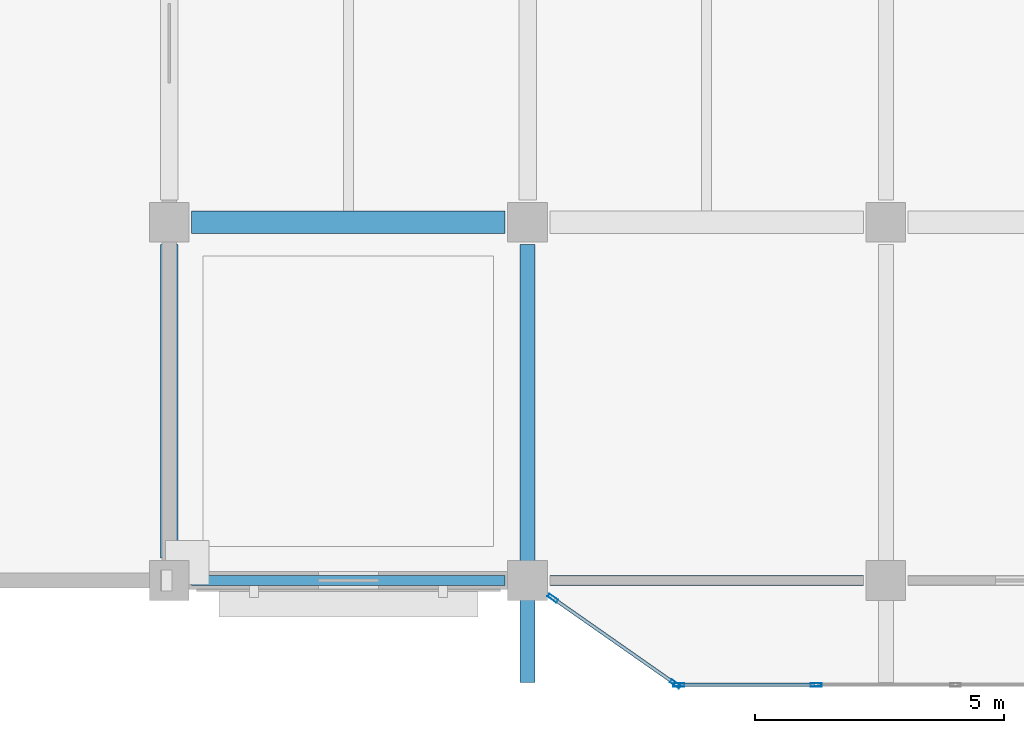
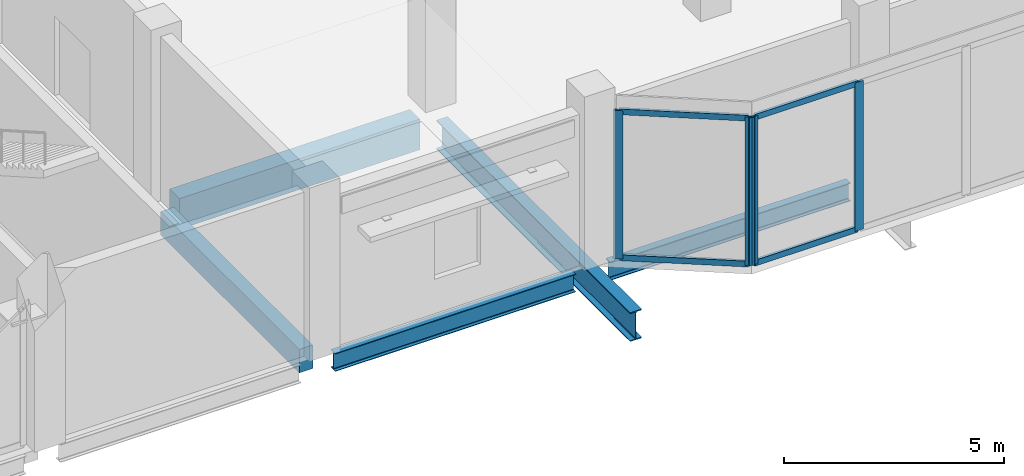
# One storey, part 41 of 99: 8 members, 5 beams, 2 elements without a shape of their own.
"""IFC4 building model written with IfcOpenShell, lengths in metres."""

from ifc_helpers import new_model, si_unit, direction, frame, origin, origin_2d, place, context, subcontext, project, spatial, rectangle, hollow_rectangle, i_section, extrude, material, material_profile, profile_set, type_object, element, aggregate, save


model = new_model("IFC4")

# Units and contexts
model_context = context("Model", 3, precision=1e-05, world=origin(), true_north=direction((0.0, 1.0)))
body_context = subcontext(model_context, "Body", "Model", "MODEL_VIEW")
ifc_project = project(units=[si_unit("LENGTHUNIT", "METRE"), si_unit("AREAUNIT", "SQUARE_METRE"), si_unit("VOLUMEUNIT", "CUBIC_METRE"), si_unit("PLANEANGLEUNIT", "RADIAN"), si_unit("MASSUNIT", "GRAM", prefix="KILO")], contexts=[model_context])

# Site, building, storey
site_placement = place(None, origin())
site = spatial("IfcSite", under=ifc_project, at=site_placement, CompositionType="ELEMENT")
building_placement = place(site_placement, origin())
building = spatial("IfcBuilding", under=site, at=building_placement, Name="Vesperath Aquatics Centre", CompositionType="ELEMENT")
storey_placement = place(building_placement, frame((0.0, 0.0, 5.39990234375)))
storey = spatial("IfcBuildingStorey", under=building, at=storey_placement, Name="L01", CompositionType="ELEMENT", Elevation=5.39990234375)

# Beams
ifc_material_1 = material(Name="Concrete C35", Category="concrete")
ifc_material_profile_1 = material_profile(ifc_material_1, rectangle(XDim=0.449951171875, YDim=0.85009765625, at=origin_2d()), Name="RC 450x850")
ifc_profile_set_1 = profile_set([ifc_material_profile_1], Name="Concrete C35")
beam_type_1 = type_object("IfcBeamType", Name="BM-G03", PredefinedType="BEAM", material=ifc_profile_set_1)
beam_1_placement = place(storey_placement, frame((130.050048828125, 7.199951171875, -0.684814453125), z_axis=(1.0, 0.0, 0.0), x_axis=(0.0, 1.0, 0.0)))
element("IfcBeam", 1, at=beam_1_placement, inside=storey, type_object=beam_type_1, Name="Floor Girder B03 L01 B 19-20", PredefinedType="BEAM", context=body_context, shape_type="SweptSolid", body=[
    extrude(rectangle(XDim=0.449951171875, YDim=0.85009765625, at=origin_2d()), origin(), (0.0, 0.0, 1.0), 6.300048828125),
])
ifc_material_profile_2 = material_profile(ifc_material_1, rectangle(XDim=0.35009765625, YDim=0.64990234375, at=origin_2d()), Name="RC 350x650")
ifc_profile_set_2 = profile_set([ifc_material_profile_2], Name="Concrete C35")
beam_type_2 = type_object("IfcBeamType", Name="BM-G05", PredefinedType="BEAM", material=ifc_profile_set_2)
beam_2_placement = place(storey_placement, frame((129.60009765625, 0.449951171875, -0.5849609375), z_axis=(0.0, 1.0, 0.0), x_axis=(-1.0, 0.0, 0.0)))
element("IfcBeam", 2, at=beam_2_placement, inside=storey, type_object=beam_type_2, Name="Floor Girder B05 L01 19 A-B", PredefinedType="BEAM", context=body_context, shape_type="SweptSolid", body=[
    extrude(rectangle(XDim=0.35009765625, YDim=0.64990234375, at=origin_2d()), origin(), (0.0, 0.0, 1.0), 6.300048828125),
])
ifc_material_2 = material(Name="Steel Q355D", Category="steel")
ifc_material_profile_3 = material_profile(ifc_material_2, i_section(OverallWidth=0.300048828125, OverallDepth=0.800048828125, WebThickness=0.013916015625, FlangeThickness=0.02587890625, FilletRadius=0.028076171875, at=origin_2d()), Name="HN 800x300x14x26")
ifc_profile_set_3 = profile_set([ifc_material_profile_3], Name="Steel Q355D")
beam_type_3 = type_object("IfcBeamType", Name="BM-G07", PredefinedType="BEAM", material=ifc_profile_set_3)
beam_3_placement = place(storey_placement, frame((136.800048828125, -2.050048828125, -0.659912109375), z_axis=(0.0, 1.0, 0.0), x_axis=(-1.0, 0.0, 0.0)))
element("IfcBeam", 3, at=beam_3_placement, inside=storey, type_object=beam_type_3, Name="Floor Girder B07 L01 20 A-B", PredefinedType="BEAM", context=body_context, shape_type="SweptSolid", body=[
    extrude(i_section(OverallWidth=0.300048828125, OverallDepth=0.800048828125, WebThickness=0.013916015625, FlangeThickness=0.02587890625, FilletRadius=0.028076171875, at=origin_2d()), origin(), (0.0, 0.0, 1.0), 8.800048828125),
])
ifc_material_profile_4 = material_profile(ifc_material_2, i_section(OverallWidth=0.199951171875, OverallDepth=0.5, WebThickness=0.010009765625, FlangeThickness=0.01611328125, FilletRadius=0.02001953125, at=origin_2d()), Name="HN 500x200x10x16")
ifc_profile_set_4 = profile_set([ifc_material_profile_4], Name="Steel Q355D")
beam_type_4 = type_object("IfcBeamType", Name="BM-SP01", PredefinedType="SPANDREL", material=ifc_profile_set_4)
for number, where, z_axis, x_axis, name in (
    (4, (130.050048828125, 0.0, -0.510009765625), (1.0, 0.0, 0.0), (0.0, 1.0, 0.0), "Floor Girder SP01 L01 A 19-20"),
    (5, (137.25, 0.0, -0.510009765625), (1.0, 0.0, 0.0), (0.0, 1.0, 0.0), "Floor Girder SP01 L01 A 20-21"),
):
    element("IfcBeam", number, at=place(storey_placement, frame(where, z_axis=z_axis, x_axis=x_axis)), inside=storey, type_object=beam_type_4, Name=name, PredefinedType="SPANDREL", context=body_context, shape_type="SweptSolid", body=[
        extrude(i_section(OverallWidth=0.199951171875, OverallDepth=0.5, WebThickness=0.010009765625, FlangeThickness=0.01611328125, FilletRadius=0.02001953125, at=origin_2d()), origin(), (0.0, 0.0, 1.0), 6.300048828125),
    ])

# Curtain wall, members
ifc_material_3 = material(Name="Thermally broken anodised bronze aluminium curtain wall", Category="aluminium")
curtain_wall_type = type_object("IfcCurtainWallType", Name="CW-02", PredefinedType="NOTDEFINED", material=ifc_material_3)
curtain_wall_1_placement = place(storey_placement, origin())
curtain_wall_1 = element("IfcCurtainWall", 6, at=curtain_wall_1_placement, inside=storey, type_object=curtain_wall_type, Name="South Boulevard Bow Oriel Curtain Wall L01-W", PredefinedType="NOTDEFINED")
ifc_material_4 = material(Name="Thermally broken anodised aluminium", Category="aluminium")
ifc_material_profile_5 = material_profile(ifc_material_4, hollow_rectangle(XDim=0.070068359375, YDim=0.219970703125, WallThickness=0.0048828125, at=origin_2d()), Name="CWM 70x220x5")
ifc_profile_set_5 = profile_set([ifc_material_profile_5], Name="Thermally broken anodised aluminium")
member_type_1 = type_object("IfcMemberType", Name="MB-CWM2", PredefinedType="MULLION", material=ifc_profile_set_5)
member_1_placement = place(storey_placement, frame((137.30859375, -0.35595703125, 0.0), z_axis=(0.0, 0.0, 1.0), x_axis=(0.57346234437, 0.819231920515, 0.0)))
member_1 = element("IfcMember", 7, at=member_1_placement, type_object=member_type_1, Name="CW02 mullion 1", PredefinedType="MULLION", context=body_context, shape_type="SweptSolid", body=[
    extrude(hollow_rectangle(XDim=0.070068359375, YDim=0.219970703125, WallThickness=0.0048828125, at=origin_2d()), origin(), (0.0, 0.0, 1.0), 4.110107421875),
])
member_2_placement = place(storey_placement, frame((139.771240234375, -2.079833984375, 0.0), z_axis=(0.0, 0.0, 1.0), x_axis=(0.57346234437, 0.819231920515, 0.0)))
member_2 = element("IfcMember", 8, at=member_2_placement, type_object=member_type_1, Name="CW02 mullion 2", PredefinedType="MULLION", context=body_context, shape_type="SweptSolid", body=[
    extrude(hollow_rectangle(XDim=0.070068359375, YDim=0.219970703125, WallThickness=0.0048828125, at=origin_2d()), origin(), (0.0, 0.0, 1.0), 4.110107421875),
])

curtain_wall_2_placement = place(storey_placement, origin())
curtain_wall_2 = element("IfcCurtainWall", 9, at=curtain_wall_2_placement, inside=storey, type_object=curtain_wall_type, Name="South Boulevard Bow Oriel Curtain Wall L01-C", PredefinedType="NOTDEFINED")
member_3_placement = place(storey_placement, frame((139.8349609375, -2.10009765625, 0.0), z_axis=(0.0, 0.0, 1.0), x_axis=(0.0, 1.0, 0.0)))
member_3 = element("IfcMember", 10, at=member_3_placement, type_object=member_type_1, Name="CW02 mullion 1", PredefinedType="MULLION", context=body_context, shape_type="SweptSolid", body=[
    extrude(hollow_rectangle(XDim=0.070068359375, YDim=0.219970703125, WallThickness=0.0048828125, at=origin_2d()), origin(), (0.0, 0.0, 1.0), 4.110107421875),
])
member_4_placement = place(storey_placement, frame((142.60009765625, -2.10009765625, 0.0), z_axis=(0.0, 0.0, 1.0), x_axis=(0.0, 1.0, 0.0)))
member_4 = element("IfcMember", 11, at=member_4_placement, type_object=member_type_1, Name="CW02 mullion 2", PredefinedType="MULLION", context=body_context, shape_type="SweptSolid", body=[
    extrude(hollow_rectangle(XDim=0.070068359375, YDim=0.219970703125, WallThickness=0.0048828125, at=origin_2d()), origin(), (0.0, 0.0, 1.0), 4.110107421875),
])

# Member
ifc_material_profile_6 = material_profile(ifc_material_4, hollow_rectangle(XDim=0.070068359375, YDim=0.159912109375, WallThickness=0.0048828125, at=origin_2d()), Name="CWT 70x160x5")
ifc_profile_set_6 = profile_set([ifc_material_profile_6], Name="Thermally broken anodised aluminium")
member_type_2 = type_object("IfcMemberType", Name="MB-CWT2", PredefinedType="USERDEFINED", material=ifc_profile_set_6)
member_5_placement = place(storey_placement, frame((137.33740234375, -0.376220703125, 0.03515625), z_axis=(0.819247546743, -0.573440020538, 0.0), x_axis=(0.573440020538, 0.819247546743, 0.0)))
member_5 = element("IfcMember", 12, at=member_5_placement, type_object=member_type_2, Name="CW02 transom 1.1", ObjectType="TRANSOM", PredefinedType="USERDEFINED", context=body_context, shape_type="SweptSolid", body=[
    extrude(hollow_rectangle(XDim=0.070068359375, YDim=0.159912109375, WallThickness=0.0048828125, at=origin_2d()), origin(), (0.0, 0.0, 1.0), 2.93603515625),
])

member_6_placement = place(storey_placement, frame((137.33740234375, -0.376220703125, 4.0751953125), z_axis=(0.819247546743, -0.573440020538, 0.0), x_axis=(0.573440020538, 0.819247546743, 0.0)))
member_6 = element("IfcMember", 13, at=member_6_placement, type_object=member_type_2, Name="CW02 transom 1.2", ObjectType="TRANSOM", PredefinedType="USERDEFINED", context=body_context, shape_type="SweptSolid", body=[
    extrude(hollow_rectangle(XDim=0.070068359375, YDim=0.159912109375, WallThickness=0.0048828125, at=origin_2d()), origin(), (0.0, 0.0, 1.0), 2.93603515625),
])

aggregate(curtain_wall_1, [member_1, member_2, member_5, member_6])

member_7_placement = place(storey_placement, frame((139.8701171875, -2.10009765625, 0.03515625), z_axis=(1.0, 0.0, 0.0), x_axis=(0.0, 1.0, 0.0)))
member_7 = element("IfcMember", 14, at=member_7_placement, type_object=member_type_2, Name="CW02 transom 1.1", ObjectType="TRANSOM", PredefinedType="USERDEFINED", context=body_context, shape_type="SweptSolid", body=[
    extrude(hollow_rectangle(XDim=0.070068359375, YDim=0.159912109375, WallThickness=0.0048828125, at=origin_2d()), origin(), (0.0, 0.0, 1.0), 2.69482421875),
])

member_8_placement = place(storey_placement, frame((139.8701171875, -2.10009765625, 4.0751953125), z_axis=(1.0, 0.0, 0.0), x_axis=(0.0, 1.0, 0.0)))
member_8 = element("IfcMember", 15, at=member_8_placement, type_object=member_type_2, Name="CW02 transom 1.2", ObjectType="TRANSOM", PredefinedType="USERDEFINED", context=body_context, shape_type="SweptSolid", body=[
    extrude(hollow_rectangle(XDim=0.070068359375, YDim=0.159912109375, WallThickness=0.0048828125, at=origin_2d()), origin(), (0.0, 0.0, 1.0), 2.69482421875),
])

aggregate(curtain_wall_2, [member_3, member_4, member_7, member_8])

save(model, "model.ifc")
